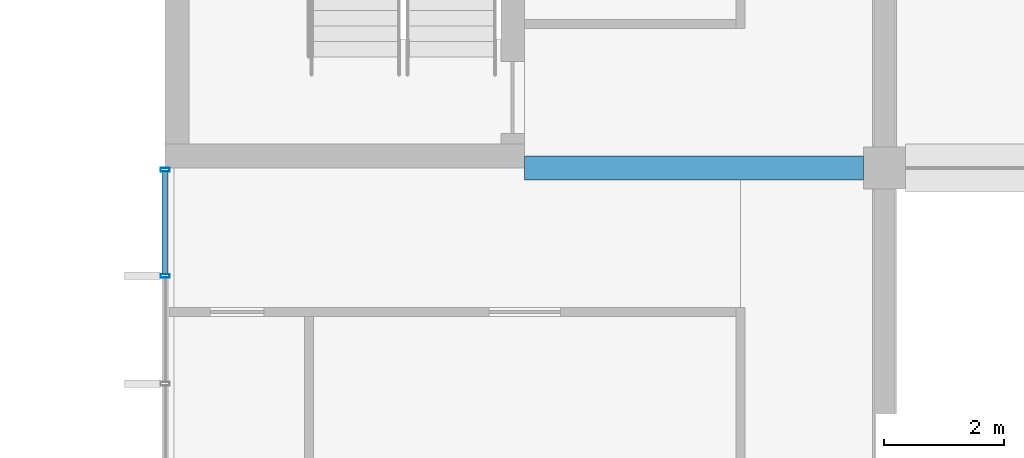
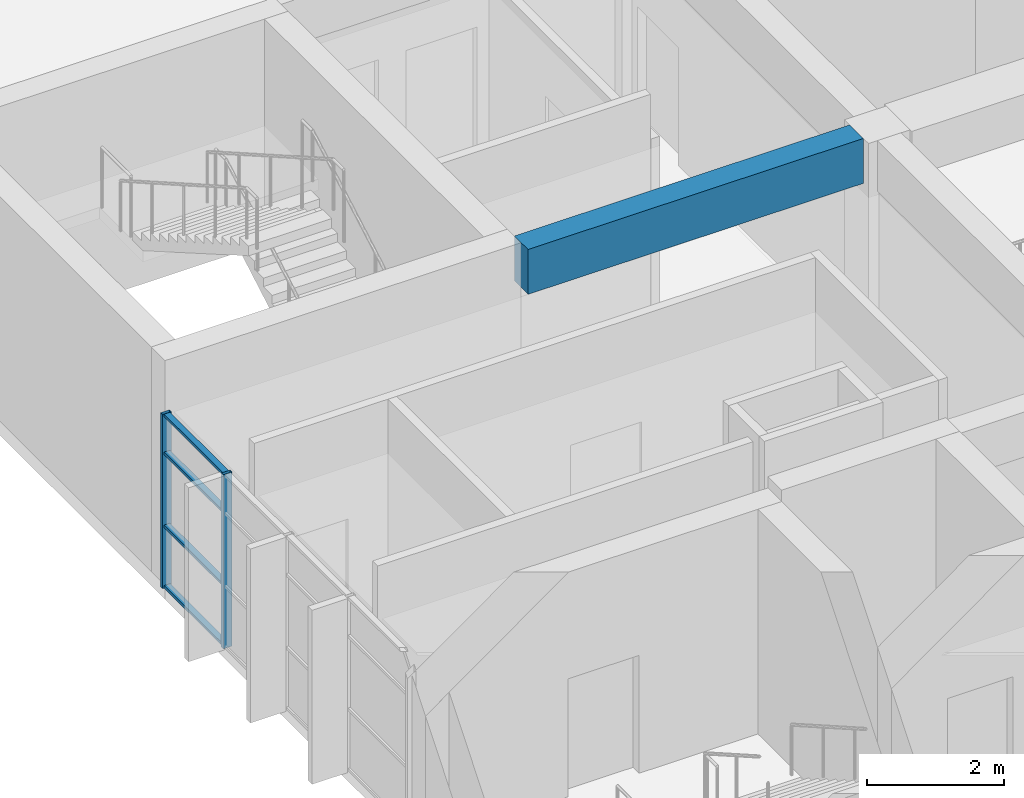
# One storey, part 35 of 101: 6 members, 1 beam, 1 element without a shape of its own.
"""IFC4 building model written with IfcOpenShell, lengths in metres."""

from ifc_helpers import new_model, si_unit, direction, frame, origin, origin_2d, place, context, subcontext, project, spatial, rectangle, hollow_rectangle, extrude, material, material_profile, profile_set, type_object, element, aggregate, save


model = new_model("IFC4")

# Units and contexts
model_context = context("Model", 3, precision=1e-05, world=origin(), true_north=direction((0.0, 1.0)))
body_context = subcontext(model_context, "Body", "Model", "MODEL_VIEW")
ifc_project = project(units=[si_unit("LENGTHUNIT", "METRE"), si_unit("AREAUNIT", "SQUARE_METRE"), si_unit("VOLUMEUNIT", "CUBIC_METRE"), si_unit("PLANEANGLEUNIT", "RADIAN"), si_unit("MASSUNIT", "GRAM", prefix="KILO")], contexts=[model_context])

# Site, building, storey
site_placement = place(None, origin())
site = spatial("IfcSite", under=ifc_project, at=site_placement, CompositionType="ELEMENT")
building_placement = place(site_placement, origin())
building = spatial("IfcBuilding", under=site, at=building_placement, Name="Laocheng Heights Fire and Rescue Headquarters", CompositionType="ELEMENT")
storey_placement = place(building_placement, frame((0.0, 0.0, 8.39990234375)))
storey = spatial("IfcBuildingStorey", under=building, at=storey_placement, Name="L02", CompositionType="ELEMENT", Elevation=8.39990234375)

# Curtain wall, members
ifc_material_1 = material(Name="Dark anodised aluminium unitised curtain wall, low-e double glazing", Category="aluminium")
curtain_wall_type = type_object("IfcCurtainWallType", Name="CW 7200 x 3100 FOYER GLAZING", PredefinedType="NOTDEFINED", material=ifc_material_1)
curtain_wall_placement = place(storey_placement, origin())
curtain_wall = element("IfcCurtainWall", 1, at=curtain_wall_placement, inside=storey, type_object=curtain_wall_type, Name="X3-V FOYER WEST L02", PredefinedType="NOTDEFINED")
ifc_material_2 = material(Name="Dark anodised aluminium 6063-T5 extrusion", Category="aluminium")
ifc_material_profile_1 = material_profile(ifc_material_2, hollow_rectangle(XDim=0.14990234375, YDim=0.06005859375, WallThickness=0.0029296875, at=origin_2d()), Name="AL MULLION 150x60x3 FOYER GLAZING")
ifc_profile_set_1 = profile_set([ifc_material_profile_1], Name="Dark anodised aluminium 6063-T5 extrusion")
member_type_1 = type_object("IfcMemberType", Name="AL MULLION 150x60x3 FOYER GLAZING", PredefinedType="MULLION", material=ifc_profile_set_1)
member_1_placement = place(storey_placement, frame((0.0, 48.60009765625, 0.0), z_axis=(0.0, 0.0, 1.0), x_axis=(-1.0, 0.0, 0.0)))
member_1 = element("IfcMember", 2, at=member_1_placement, type_object=member_type_1, Name="X3-V mullion 4", PredefinedType="MULLION", context=body_context, shape_type="SweptSolid", body=[
    extrude(hollow_rectangle(XDim=0.14990234375, YDim=0.06005859375, WallThickness=0.0029296875, at=origin_2d()), origin(), (0.0, 0.0, 1.0), 3.10009765625),
])
member_2_placement = place(storey_placement, frame((0.0, 50.3701171875, 0.0), z_axis=(0.0, 0.0, 1.0), x_axis=(-1.0, 0.0, 0.0)))
member_2 = element("IfcMember", 3, at=member_2_placement, type_object=member_type_1, Name="X3-V mullion 5", PredefinedType="MULLION", context=body_context, shape_type="SweptSolid", body=[
    extrude(hollow_rectangle(XDim=0.14990234375, YDim=0.06005859375, WallThickness=0.0029296875, at=origin_2d()), origin(), (0.0, 0.0, 1.0), 3.10009765625),
])
ifc_material_3 = material(Name="Dark anodised aluminium 6063-T5 extrusion", Category="aluminium")
ifc_material_profile_2 = material_profile(ifc_material_3, hollow_rectangle(XDim=0.10009765625, YDim=0.050048828125, WallThickness=0.0029296875, at=origin_2d()), Name="AL TRANSOM 100x50x3 FOYER GLAZING")
ifc_profile_set_2 = profile_set([ifc_material_profile_2], Name="Dark anodised aluminium 6063-T5 extrusion")
member_type_2 = type_object("IfcMemberType", Name="AL TRANSOM 100x50x3 FOYER GLAZING", PredefinedType="USERDEFINED", material=ifc_profile_set_2)
member_3_placement = place(storey_placement, frame((0.0, 48.6298828125, 0.025146484375), z_axis=(0.0, 1.0, 0.0), x_axis=(-1.0, 0.0, 0.0)))
member_3 = element("IfcMember", 4, at=member_3_placement, type_object=member_type_2, Name="X3-V transom 4.1", ObjectType="TRANSOM", PredefinedType="USERDEFINED", context=body_context, shape_type="SweptSolid", body=[
    extrude(hollow_rectangle(XDim=0.10009765625, YDim=0.050048828125, WallThickness=0.0029296875, at=origin_2d()), origin(), (0.0, 0.0, 1.0), 1.710205078125),
])
member_4_placement = place(storey_placement, frame((0.0, 48.6298828125, 1.10009765625), z_axis=(0.0, 1.0, 0.0), x_axis=(-1.0, 0.0, 0.0)))
member_4 = element("IfcMember", 5, at=member_4_placement, type_object=member_type_2, Name="X3-V transom 4.2", ObjectType="TRANSOM", PredefinedType="USERDEFINED", context=body_context, shape_type="SweptSolid", body=[
    extrude(hollow_rectangle(XDim=0.10009765625, YDim=0.050048828125, WallThickness=0.0029296875, at=origin_2d()), origin(), (0.0, 0.0, 1.0), 1.710205078125),
])
member_5_placement = place(storey_placement, frame((0.0, 48.6298828125, 2.400146484375), z_axis=(0.0, 1.0, 0.0), x_axis=(-1.0, 0.0, 0.0)))
member_5 = element("IfcMember", 6, at=member_5_placement, type_object=member_type_2, Name="X3-V transom 4.3", ObjectType="TRANSOM", PredefinedType="USERDEFINED", context=body_context, shape_type="SweptSolid", body=[
    extrude(hollow_rectangle(XDim=0.10009765625, YDim=0.050048828125, WallThickness=0.0029296875, at=origin_2d()), origin(), (0.0, 0.0, 1.0), 1.710205078125),
])
member_6_placement = place(storey_placement, frame((0.0, 48.6298828125, 3.0751953125), z_axis=(0.0, 1.0, 0.0), x_axis=(-1.0, 0.0, 0.0)))
member_6 = element("IfcMember", 7, at=member_6_placement, type_object=member_type_2, Name="X3-V transom 4.4", ObjectType="TRANSOM", PredefinedType="USERDEFINED", context=body_context, shape_type="SweptSolid", body=[
    extrude(hollow_rectangle(XDim=0.10009765625, YDim=0.050048828125, WallThickness=0.0029296875, at=origin_2d()), origin(), (0.0, 0.0, 1.0), 1.710205078125),
])
aggregate(curtain_wall, [member_1, member_2, member_3, member_4, member_5, member_6])

# Beam
ifc_material_4 = material(Name="Concrete C40", Category="concrete")
ifc_material_profile_3 = material_profile(ifc_material_4, rectangle(XDim=0.39990234375, YDim=0.800048828125, at=origin_2d()), Name="RC BEAM 400x800 FOYER")
ifc_profile_set_3 = profile_set([ifc_material_profile_3], Name="Concrete C40")
beam_type = type_object("IfcBeamType", Name="RC BEAM 400x800 FOYER", PredefinedType="BEAM", material=ifc_profile_set_3)
beam_placement = place(storey_placement, frame((6.0, 50.39990234375, 3.60009765625), z_axis=(1.0, 0.0, 0.0), x_axis=(0.0, 1.0, 0.0)))
element("IfcBeam", 8, at=beam_placement, inside=storey, type_object=beam_type, Name="Foyer beam L02", PredefinedType="BEAM", context=body_context, shape_type="SweptSolid", body=[
    extrude(rectangle(XDim=0.39990234375, YDim=0.800048828125, at=origin_2d()), origin(), (0.0, 0.0, 1.0), 5.64990234375),
])

save(model, "model.ifc")
